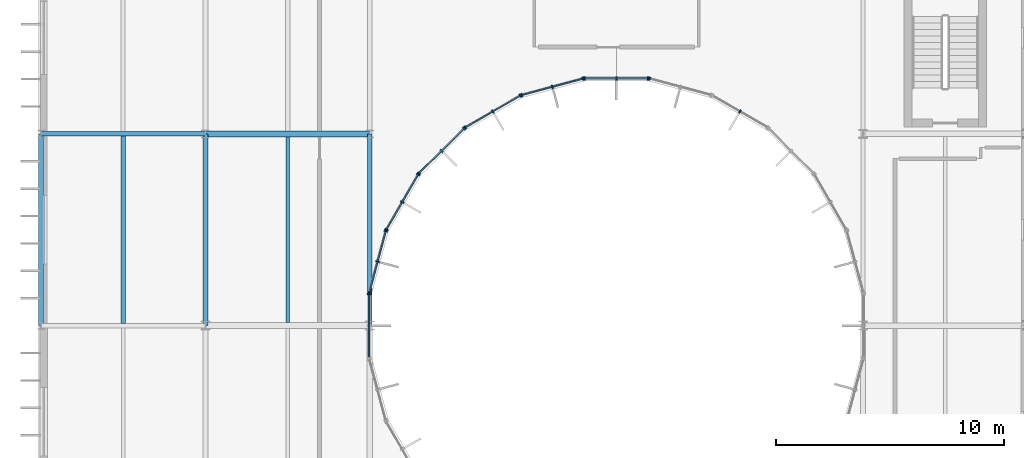
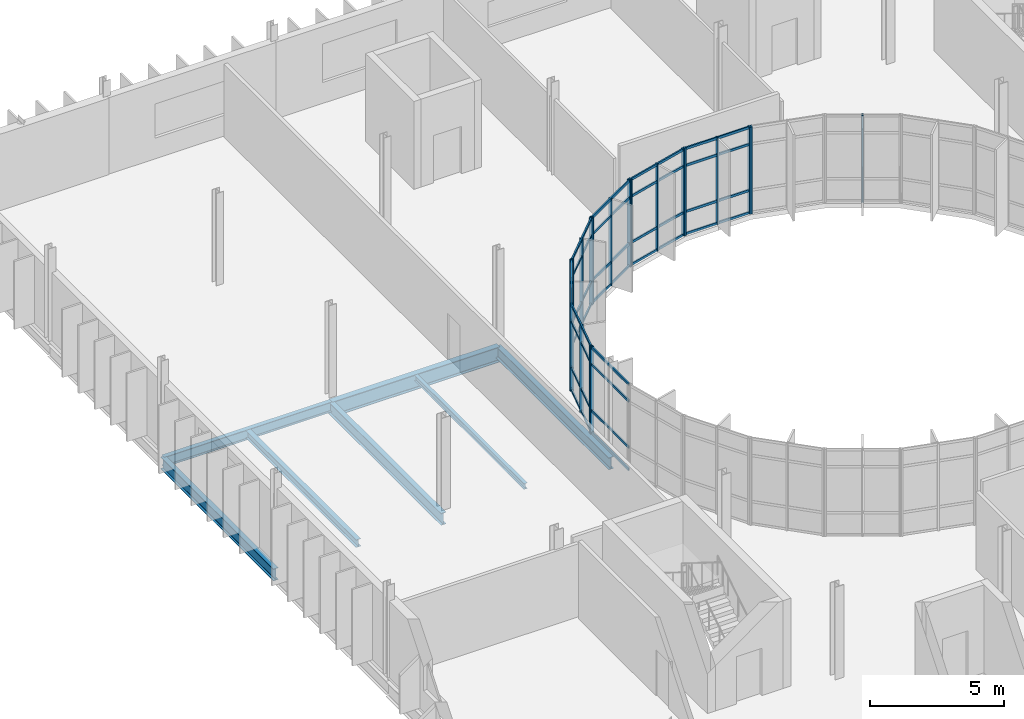
# One storey, part 39 of 99: 49 members, 7 beams, 9 elements without a shape of their own.
"""IFC4 building model written with IfcOpenShell, lengths in metres."""

from ifc_helpers import new_model, si_unit, direction, frame, origin, origin_2d, place, context, subcontext, project, spatial, rectangle, i_section, extrude, material, material_profile, profile_set, type_object, element, aggregate, save


model = new_model("IFC4")

# Units and contexts
model_context = context("Model", 3, precision=1e-05, world=origin(), true_north=direction((0.0, 1.0)))
body_context = subcontext(model_context, "Body", "Model", "MODEL_VIEW")
ifc_project = project(units=[si_unit("LENGTHUNIT", "METRE"), si_unit("AREAUNIT", "SQUARE_METRE"), si_unit("VOLUMEUNIT", "CUBIC_METRE"), si_unit("PLANEANGLEUNIT", "RADIAN"), si_unit("MASSUNIT", "GRAM", prefix="KILO")], contexts=[model_context])

# Site, building, storey
site_placement = place(None, origin())
site = spatial("IfcSite", under=ifc_project, at=site_placement, CompositionType="ELEMENT")
building_placement = place(site_placement, origin())
building = spatial("IfcBuilding", under=site, at=building_placement, Name="Qelthora Terrace Specialist Clinic", CompositionType="ELEMENT")
storey_placement = place(building_placement, frame((0.0, 0.0, 9.0)))
storey = spatial("IfcBuildingStorey", under=building, at=storey_placement, Name="L02", CompositionType="ELEMENT", Elevation=9.0)

# Beams
ifc_material_1 = material(Name="Steel S355", Category="steel")
ifc_material_profile_1 = material_profile(ifc_material_1, i_section(OverallWidth=0.2119140625, OverallDepth=0.5439453125, WebThickness=0.01318359375, FlangeThickness=0.021240234375, FilletRadius=0.013916015625, at=origin_2d()), Name="W530X123")
ifc_profile_set_1 = profile_set([ifc_material_profile_1], Name="Steel S355")
beam_type_1 = type_object("IfcBeamType", Name="BM-W530X123", PredefinedType="BEAM", material=ifc_profile_set_1)
for number, where, z_axis, x_axis, name in (
    (1, (0.0, 84.0, -0.52197265625), (0.0, 1.0, 0.0), (-1.0, 0.0, 0.0), "Girder BMY-L02-0745"),
    (2, (7.199951171875, 84.0, -0.52197265625), (0.0, 1.0, 0.0), (-1.0, 0.0, 0.0), "Girder BMY-L02-0755"),
    (3, (14.39990234375, 84.0, -0.52197265625), (0.0, 1.0, 0.0), (-1.0, 0.0, 0.0), "Girder BMY-L02-0765"),
):
    element("IfcBeam", number, at=place(storey_placement, frame(where, z_axis=z_axis, x_axis=x_axis)), inside=storey, type_object=beam_type_1, Name=name, PredefinedType="BEAM", context=body_context, shape_type="SweptSolid", body=[
        extrude(i_section(OverallWidth=0.2119140625, OverallDepth=0.5439453125, WebThickness=0.01318359375, FlangeThickness=0.021240234375, FilletRadius=0.013916015625, at=origin_2d()), origin(), (0.0, 0.0, 1.0), 8.39990234375),
    ])
ifc_material_profile_2 = material_profile(ifc_material_1, i_section(OverallWidth=0.256103515625, OverallDepth=0.693115234375, WebThickness=0.014404296875, FlangeThickness=0.023681640625, FilletRadius=0.01806640625, at=origin_2d()), Name="W690X170")
ifc_profile_set_2 = profile_set([ifc_material_profile_2], Name="Steel S355")
beam_type_2 = type_object("IfcBeamType", Name="BM-W690X170", PredefinedType="BEAM", material=ifc_profile_set_2)
beam_1_placement = place(storey_placement, frame((7.199951171875, 92.39990234375, -0.596435546875), z_axis=(1.0, 0.0, 0.0), x_axis=(0.0, 1.0, 0.0)))
element("IfcBeam", 4, at=beam_1_placement, inside=storey, type_object=beam_type_2, Name="Girder BMX-L02-0687", PredefinedType="BEAM", context=body_context, shape_type="SweptSolid", body=[
    extrude(i_section(OverallWidth=0.256103515625, OverallDepth=0.693115234375, WebThickness=0.014404296875, FlangeThickness=0.023681640625, FilletRadius=0.01806640625, at=origin_2d()), origin(), (0.0, 0.0, 1.0), 7.199951171875),
])

# Curtain wall, member
ifc_material_2 = material(Name="Aluminium anodized bronze", Category="aluminium")
curtain_wall_type = type_object("IfcCurtainWallType", Name="CW-CRTW-UPP", PredefinedType="NOTDEFINED", material=ifc_material_2)
curtain_wall_1_placement = place(storey_placement, origin())
curtain_wall_1 = element("IfcCurtainWall", 5, at=curtain_wall_1_placement, inside=storey, type_object=curtain_wall_type, Name="Curtain wall CW-CW-L02-04", PredefinedType="NOTDEFINED")
ifc_material_profile_3 = material_profile(ifc_material_2, rectangle(XDim=0.06005859375, YDim=0.14990234375, at=origin_2d()), Name="CWM60X150")
ifc_profile_set_3 = profile_set([ifc_material_profile_3], Name="Aluminium anodized bronze")
member_type_1 = type_object("IfcMemberType", Name="CWM-60X150", PredefinedType="MULLION", material=ifc_profile_set_3)
member_1_placement = place(storey_placement, frame((30.61376953125, 93.376953125, 0.0), z_axis=(0.0, 0.0, 1.0), x_axis=(-0.866025635896, 0.499999597971, 0.0)))
member_1 = element("IfcMember", 6, at=member_1_placement, type_object=member_type_1, Name="CW-CW-L02-04 mullion 2", PredefinedType="MULLION", context=body_context, shape_type="SweptSolid", body=[
    extrude(rectangle(XDim=0.06005859375, YDim=0.14990234375, at=origin_2d()), origin(), (0.0, 0.0, 1.0), 3.945068359375),
])
aggregate(curtain_wall_1, [member_1])

curtain_wall_2_placement = place(storey_placement, origin())
curtain_wall_2 = element("IfcCurtainWall", 7, at=curtain_wall_2_placement, inside=storey, type_object=curtain_wall_type, Name="Curtain wall CW-CW-L02-05", PredefinedType="NOTDEFINED")
member_2_placement = place(storey_placement, frame((26.66015625, 94.818359375, 0.0), z_axis=(0.0, 0.0, 1.0), x_axis=(-0.96592547477, 0.258820356987, 0.0)))
member_2 = element("IfcMember", 8, at=member_2_placement, type_object=member_type_1, Name="CW-CW-L02-05 mullion 3", PredefinedType="MULLION", context=body_context, shape_type="SweptSolid", body=[
    extrude(rectangle(XDim=0.06005859375, YDim=0.14990234375, at=origin_2d()), origin(), (0.0, 0.0, 1.0), 3.945068359375),
])
aggregate(curtain_wall_2, [member_2])

# Curtain wall, members
curtain_wall_3_placement = place(storey_placement, origin())
curtain_wall_3 = element("IfcCurtainWall", 9, at=curtain_wall_3_placement, inside=storey, type_object=curtain_wall_type, Name="Curtain wall CW-CW-L02-06", PredefinedType="NOTDEFINED")
member_3_placement = place(storey_placement, frame((26.589599609375, 94.82763671875, 0.0), z_axis=(0.0, 0.0, 1.0), x_axis=(-1.0, 0.0, 0.0)))
member_3 = element("IfcMember", 10, at=member_3_placement, type_object=member_type_1, Name="CW-CW-L02-06 mullion 1", PredefinedType="MULLION", context=body_context, shape_type="SweptSolid", body=[
    extrude(rectangle(XDim=0.06005859375, YDim=0.14990234375, at=origin_2d()), origin(), (0.0, 0.0, 1.0), 3.945068359375),
])
member_4_placement = place(storey_placement, frame((25.199951171875, 94.82763671875, 0.0), z_axis=(0.0, 0.0, 1.0), x_axis=(-1.0, 0.0, 0.0)))
member_4 = element("IfcMember", 11, at=member_4_placement, type_object=member_type_1, Name="CW-CW-L02-06 mullion 2", PredefinedType="MULLION", context=body_context, shape_type="SweptSolid", body=[
    extrude(rectangle(XDim=0.06005859375, YDim=0.14990234375, at=origin_2d()), origin(), (0.0, 0.0, 1.0), 3.945068359375),
])
member_5_placement = place(storey_placement, frame((23.810302734375, 94.82763671875, 0.0), z_axis=(0.0, 0.0, 1.0), x_axis=(-1.0, 0.0, 0.0)))
member_5 = element("IfcMember", 12, at=member_5_placement, type_object=member_type_1, Name="CW-CW-L02-06 mullion 3", PredefinedType="MULLION", context=body_context, shape_type="SweptSolid", body=[
    extrude(rectangle(XDim=0.06005859375, YDim=0.14990234375, at=origin_2d()), origin(), (0.0, 0.0, 1.0), 3.945068359375),
])

curtain_wall_4_placement = place(storey_placement, origin())
curtain_wall_4 = element("IfcCurtainWall", 13, at=curtain_wall_4_placement, inside=storey, type_object=curtain_wall_type, Name="Curtain wall CW-CW-L02-07", PredefinedType="NOTDEFINED")
member_6_placement = place(storey_placement, frame((23.739990234375, 94.818359375, 0.0), z_axis=(0.0, 0.0, 1.0), x_axis=(-0.96592547477, -0.258820356987, 0.0)))
member_6 = element("IfcMember", 14, at=member_6_placement, type_object=member_type_1, Name="CW-CW-L02-07 mullion 1", PredefinedType="MULLION", context=body_context, shape_type="SweptSolid", body=[
    extrude(rectangle(XDim=0.06005859375, YDim=0.14990234375, at=origin_2d()), origin(), (0.0, 0.0, 1.0), 3.945068359375),
])
member_7_placement = place(storey_placement, frame((22.397705078125, 94.458740234375, 0.0), z_axis=(0.0, 0.0, 1.0), x_axis=(-0.96592547477, -0.258820356987, 0.0)))
member_7 = element("IfcMember", 15, at=member_7_placement, type_object=member_type_1, Name="CW-CW-L02-07 mullion 2", PredefinedType="MULLION", context=body_context, shape_type="SweptSolid", body=[
    extrude(rectangle(XDim=0.06005859375, YDim=0.14990234375, at=origin_2d()), origin(), (0.0, 0.0, 1.0), 3.945068359375),
])
member_8_placement = place(storey_placement, frame((21.05517578125, 94.098876953125, 0.0), z_axis=(0.0, 0.0, 1.0), x_axis=(-0.96592547477, -0.258820356987, 0.0)))
member_8 = element("IfcMember", 16, at=member_8_placement, type_object=member_type_1, Name="CW-CW-L02-07 mullion 3", PredefinedType="MULLION", context=body_context, shape_type="SweptSolid", body=[
    extrude(rectangle(XDim=0.06005859375, YDim=0.14990234375, at=origin_2d()), origin(), (0.0, 0.0, 1.0), 3.945068359375),
])

curtain_wall_5_placement = place(storey_placement, origin())
curtain_wall_5 = element("IfcCurtainWall", 17, at=curtain_wall_5_placement, inside=storey, type_object=curtain_wall_type, Name="Curtain wall CW-CW-L02-08", PredefinedType="NOTDEFINED")
member_9_placement = place(storey_placement, frame((20.98974609375, 94.07177734375, 0.0), z_axis=(0.0, 0.0, 1.0), x_axis=(-0.866025635896, -0.499999597971, 0.0)))
member_9 = element("IfcMember", 18, at=member_9_placement, type_object=member_type_1, Name="CW-CW-L02-08 mullion 1", PredefinedType="MULLION", context=body_context, shape_type="SweptSolid", body=[
    extrude(rectangle(XDim=0.06005859375, YDim=0.14990234375, at=origin_2d()), origin(), (0.0, 0.0, 1.0), 3.945068359375),
])
member_10_placement = place(storey_placement, frame((19.7861328125, 93.376953125, 0.0), z_axis=(0.0, 0.0, 1.0), x_axis=(-0.866025635896, -0.499999597971, 0.0)))
member_10 = element("IfcMember", 19, at=member_10_placement, type_object=member_type_1, Name="CW-CW-L02-08 mullion 2", PredefinedType="MULLION", context=body_context, shape_type="SweptSolid", body=[
    extrude(rectangle(XDim=0.06005859375, YDim=0.14990234375, at=origin_2d()), origin(), (0.0, 0.0, 1.0), 3.945068359375),
])
member_11_placement = place(storey_placement, frame((18.582763671875, 92.68212890625, 0.0), z_axis=(0.0, 0.0, 1.0), x_axis=(-0.866025635896, -0.499999597971, 0.0)))
member_11 = element("IfcMember", 20, at=member_11_placement, type_object=member_type_1, Name="CW-CW-L02-08 mullion 3", PredefinedType="MULLION", context=body_context, shape_type="SweptSolid", body=[
    extrude(rectangle(XDim=0.06005859375, YDim=0.14990234375, at=origin_2d()), origin(), (0.0, 0.0, 1.0), 3.945068359375),
])

curtain_wall_6_placement = place(storey_placement, origin())
curtain_wall_6 = element("IfcCurtainWall", 21, at=curtain_wall_6_placement, inside=storey, type_object=curtain_wall_type, Name="Curtain wall CW-CW-L02-09", PredefinedType="NOTDEFINED")
member_12_placement = place(storey_placement, frame((18.5263671875, 92.638916015625, 0.0), z_axis=(0.0, 0.0, 1.0), x_axis=(-0.707106781187, -0.707106781187, 0.0)))
member_12 = element("IfcMember", 22, at=member_12_placement, type_object=member_type_1, Name="CW-CW-L02-09 mullion 1", PredefinedType="MULLION", context=body_context, shape_type="SweptSolid", body=[
    extrude(rectangle(XDim=0.06005859375, YDim=0.14990234375, at=origin_2d()), origin(), (0.0, 0.0, 1.0), 3.945068359375),
])
member_13_placement = place(storey_placement, frame((17.543701171875, 91.65625, 0.0), z_axis=(0.0, 0.0, 1.0), x_axis=(-0.707106781187, -0.707106781187, 0.0)))
member_13 = element("IfcMember", 23, at=member_13_placement, type_object=member_type_1, Name="CW-CW-L02-09 mullion 2", PredefinedType="MULLION", context=body_context, shape_type="SweptSolid", body=[
    extrude(rectangle(XDim=0.06005859375, YDim=0.14990234375, at=origin_2d()), origin(), (0.0, 0.0, 1.0), 3.945068359375),
])
member_14_placement = place(storey_placement, frame((16.56103515625, 90.673583984375, 0.0), z_axis=(0.0, 0.0, 1.0), x_axis=(-0.707106781187, -0.707106781187, 0.0)))
member_14 = element("IfcMember", 24, at=member_14_placement, type_object=member_type_1, Name="CW-CW-L02-09 mullion 3", PredefinedType="MULLION", context=body_context, shape_type="SweptSolid", body=[
    extrude(rectangle(XDim=0.06005859375, YDim=0.14990234375, at=origin_2d()), origin(), (0.0, 0.0, 1.0), 3.945068359375),
])

curtain_wall_7_placement = place(storey_placement, origin())
curtain_wall_7 = element("IfcCurtainWall", 25, at=curtain_wall_7_placement, inside=storey, type_object=curtain_wall_type, Name="Curtain wall CW-CW-L02-10", PredefinedType="NOTDEFINED")
member_15_placement = place(storey_placement, frame((16.517822265625, 90.6171875, 0.0), z_axis=(0.0, 0.0, 1.0), x_axis=(-0.499999597971, -0.866025635896, 0.0)))
member_15 = element("IfcMember", 26, at=member_15_placement, type_object=member_type_1, Name="CW-CW-L02-10 mullion 1", PredefinedType="MULLION", context=body_context, shape_type="SweptSolid", body=[
    extrude(rectangle(XDim=0.06005859375, YDim=0.14990234375, at=origin_2d()), origin(), (0.0, 0.0, 1.0), 3.945068359375),
])
member_16_placement = place(storey_placement, frame((15.822998046875, 89.413818359375, 0.0), z_axis=(0.0, 0.0, 1.0), x_axis=(-0.499999597971, -0.866025635896, 0.0)))
member_16 = element("IfcMember", 27, at=member_16_placement, type_object=member_type_1, Name="CW-CW-L02-10 mullion 2", PredefinedType="MULLION", context=body_context, shape_type="SweptSolid", body=[
    extrude(rectangle(XDim=0.06005859375, YDim=0.14990234375, at=origin_2d()), origin(), (0.0, 0.0, 1.0), 3.945068359375),
])
member_17_placement = place(storey_placement, frame((15.128173828125, 88.210205078125, 0.0), z_axis=(0.0, 0.0, 1.0), x_axis=(-0.499999597971, -0.866025635896, 0.0)))
member_17 = element("IfcMember", 28, at=member_17_placement, type_object=member_type_1, Name="CW-CW-L02-10 mullion 3", PredefinedType="MULLION", context=body_context, shape_type="SweptSolid", body=[
    extrude(rectangle(XDim=0.06005859375, YDim=0.14990234375, at=origin_2d()), origin(), (0.0, 0.0, 1.0), 3.945068359375),
])

curtain_wall_8_placement = place(storey_placement, origin())
curtain_wall_8 = element("IfcCurtainWall", 29, at=curtain_wall_8_placement, inside=storey, type_object=curtain_wall_type, Name="Curtain wall CW-CW-L02-11", PredefinedType="NOTDEFINED")
member_18_placement = place(storey_placement, frame((15.10107421875, 88.144775390625, 0.0), z_axis=(0.0, 0.0, 1.0), x_axis=(-0.258820356987, -0.96592547477, 0.0)))
member_18 = element("IfcMember", 30, at=member_18_placement, type_object=member_type_1, Name="CW-CW-L02-11 mullion 1", PredefinedType="MULLION", context=body_context, shape_type="SweptSolid", body=[
    extrude(rectangle(XDim=0.06005859375, YDim=0.14990234375, at=origin_2d()), origin(), (0.0, 0.0, 1.0), 3.945068359375),
])
member_19_placement = place(storey_placement, frame((14.7412109375, 86.802490234375, 0.0), z_axis=(0.0, 0.0, 1.0), x_axis=(-0.258820356987, -0.96592547477, 0.0)))
member_19 = element("IfcMember", 31, at=member_19_placement, type_object=member_type_1, Name="CW-CW-L02-11 mullion 2", PredefinedType="MULLION", context=body_context, shape_type="SweptSolid", body=[
    extrude(rectangle(XDim=0.06005859375, YDim=0.14990234375, at=origin_2d()), origin(), (0.0, 0.0, 1.0), 3.945068359375),
])
member_20_placement = place(storey_placement, frame((14.381591796875, 85.4599609375, 0.0), z_axis=(0.0, 0.0, 1.0), x_axis=(-0.258820356987, -0.96592547477, 0.0)))
member_20 = element("IfcMember", 32, at=member_20_placement, type_object=member_type_1, Name="CW-CW-L02-11 mullion 3", PredefinedType="MULLION", context=body_context, shape_type="SweptSolid", body=[
    extrude(rectangle(XDim=0.06005859375, YDim=0.14990234375, at=origin_2d()), origin(), (0.0, 0.0, 1.0), 3.945068359375),
])

# Curtain wall, member
curtain_wall_9_placement = place(storey_placement, origin())
curtain_wall_9 = element("IfcCurtainWall", 33, at=curtain_wall_9_placement, inside=storey, type_object=curtain_wall_type, Name="Curtain wall CW-CW-L02-12", PredefinedType="NOTDEFINED")
member_21_placement = place(storey_placement, frame((14.372314453125, 85.3896484375, 0.0), z_axis=(0.0, 0.0, 1.0), x_axis=(0.0, -1.0, 0.0)))
member_21 = element("IfcMember", 34, at=member_21_placement, type_object=member_type_1, Name="CW-CW-L02-12 mullion 1", PredefinedType="MULLION", context=body_context, shape_type="SweptSolid", body=[
    extrude(rectangle(XDim=0.06005859375, YDim=0.14990234375, at=origin_2d()), origin(), (0.0, 0.0, 1.0), 3.945068359375),
])

# Member
ifc_material_profile_4 = material_profile(ifc_material_2, rectangle(XDim=0.06005859375, YDim=0.110107421875, at=origin_2d()), Name="CWT60X110")
ifc_profile_set_4 = profile_set([ifc_material_profile_4], Name="Aluminium anodized bronze")
member_type_2 = type_object("IfcMemberType", Name="CWT-60X110", PredefinedType="USERDEFINED", material=ifc_profile_set_4)
member_22_placement = place(storey_placement, frame((26.569580078125, 94.82763671875, 0.0400390625), z_axis=(-1.0, 0.0, 0.0), x_axis=(0.0, -1.0, 0.0)))
member_22 = element("IfcMember", 35, at=member_22_placement, type_object=member_type_2, Name="CW-CW-L02-06 transom 1", ObjectType="TRANSOM", PredefinedType="USERDEFINED", context=body_context, shape_type="SweptSolid", body=[
    extrude(rectangle(XDim=0.06005859375, YDim=0.110107421875, at=origin_2d()), origin(), (0.0, 0.0, 1.0), 2.7392578125),
])

member_23_placement = place(storey_placement, frame((26.569580078125, 94.82763671875, 1.050048828125), z_axis=(-1.0, 0.0, 0.0), x_axis=(0.0, -1.0, 0.0)))
member_23 = element("IfcMember", 36, at=member_23_placement, type_object=member_type_2, Name="CW-CW-L02-06 transom 2", ObjectType="TRANSOM", PredefinedType="USERDEFINED", context=body_context, shape_type="SweptSolid", body=[
    extrude(rectangle(XDim=0.06005859375, YDim=0.110107421875, at=origin_2d()), origin(), (0.0, 0.0, 1.0), 2.7392578125),
])

member_24_placement = place(storey_placement, frame((26.569580078125, 94.82763671875, 3.14501953125), z_axis=(-1.0, 0.0, 0.0), x_axis=(0.0, -1.0, 0.0)))
member_24 = element("IfcMember", 37, at=member_24_placement, type_object=member_type_2, Name="CW-CW-L02-06 transom 3", ObjectType="TRANSOM", PredefinedType="USERDEFINED", context=body_context, shape_type="SweptSolid", body=[
    extrude(rectangle(XDim=0.06005859375, YDim=0.110107421875, at=origin_2d()), origin(), (0.0, 0.0, 1.0), 2.7392578125),
])

member_25_placement = place(storey_placement, frame((26.569580078125, 94.82763671875, 3.905029296875), z_axis=(-1.0, 0.0, 0.0), x_axis=(0.0, -1.0, 0.0)))
member_25 = element("IfcMember", 38, at=member_25_placement, type_object=member_type_2, Name="CW-CW-L02-06 transom 4", ObjectType="TRANSOM", PredefinedType="USERDEFINED", context=body_context, shape_type="SweptSolid", body=[
    extrude(rectangle(XDim=0.06005859375, YDim=0.110107421875, at=origin_2d()), origin(), (0.0, 0.0, 1.0), 2.7392578125),
])

aggregate(curtain_wall_3, [member_3, member_4, member_5, member_22, member_23, member_24, member_25])

member_26_placement = place(storey_placement, frame((23.720703125, 94.813232421875, 0.0400390625), z_axis=(-0.965926569303, -0.258816272122, 0.0), x_axis=(0.258816272122, -0.965926569303, 0.0)))
member_26 = element("IfcMember", 39, at=member_26_placement, type_object=member_type_2, Name="CW-CW-L02-07 transom 1", ObjectType="TRANSOM", PredefinedType="USERDEFINED", context=body_context, shape_type="SweptSolid", body=[
    extrude(rectangle(XDim=0.06005859375, YDim=0.110107421875, at=origin_2d()), origin(), (0.0, 0.0, 1.0), 2.7392578125),
])

member_27_placement = place(storey_placement, frame((23.720703125, 94.813232421875, 1.050048828125), z_axis=(-0.965926569303, -0.258816272122, 0.0), x_axis=(0.258816272122, -0.965926569303, 0.0)))
member_27 = element("IfcMember", 40, at=member_27_placement, type_object=member_type_2, Name="CW-CW-L02-07 transom 2", ObjectType="TRANSOM", PredefinedType="USERDEFINED", context=body_context, shape_type="SweptSolid", body=[
    extrude(rectangle(XDim=0.06005859375, YDim=0.110107421875, at=origin_2d()), origin(), (0.0, 0.0, 1.0), 2.7392578125),
])

member_28_placement = place(storey_placement, frame((23.720703125, 94.813232421875, 3.14501953125), z_axis=(-0.965926569303, -0.258816272122, 0.0), x_axis=(0.258816272122, -0.965926569303, 0.0)))
member_28 = element("IfcMember", 41, at=member_28_placement, type_object=member_type_2, Name="CW-CW-L02-07 transom 3", ObjectType="TRANSOM", PredefinedType="USERDEFINED", context=body_context, shape_type="SweptSolid", body=[
    extrude(rectangle(XDim=0.06005859375, YDim=0.110107421875, at=origin_2d()), origin(), (0.0, 0.0, 1.0), 2.7392578125),
])

member_29_placement = place(storey_placement, frame((23.720703125, 94.813232421875, 3.905029296875), z_axis=(-0.965926569303, -0.258816272122, 0.0), x_axis=(0.258816272122, -0.965926569303, 0.0)))
member_29 = element("IfcMember", 42, at=member_29_placement, type_object=member_type_2, Name="CW-CW-L02-07 transom 4", ObjectType="TRANSOM", PredefinedType="USERDEFINED", context=body_context, shape_type="SweptSolid", body=[
    extrude(rectangle(XDim=0.06005859375, YDim=0.110107421875, at=origin_2d()), origin(), (0.0, 0.0, 1.0), 2.7392578125),
])

aggregate(curtain_wall_4, [member_6, member_7, member_8, member_26, member_27, member_28, member_29])

member_30_placement = place(storey_placement, frame((20.972412109375, 94.061767578125, 0.0400390625), z_axis=(-0.866029747927, -0.499992475648, 0.0), x_axis=(0.499992475648, -0.866029747927, 0.0)))
member_30 = element("IfcMember", 43, at=member_30_placement, type_object=member_type_2, Name="CW-CW-L02-08 transom 1", ObjectType="TRANSOM", PredefinedType="USERDEFINED", context=body_context, shape_type="SweptSolid", body=[
    extrude(rectangle(XDim=0.06005859375, YDim=0.110107421875, at=origin_2d()), origin(), (0.0, 0.0, 1.0), 2.7392578125),
])

member_31_placement = place(storey_placement, frame((20.972412109375, 94.061767578125, 1.050048828125), z_axis=(-0.866029747927, -0.499992475648, 0.0), x_axis=(0.499992475648, -0.866029747927, 0.0)))
member_31 = element("IfcMember", 44, at=member_31_placement, type_object=member_type_2, Name="CW-CW-L02-08 transom 2", ObjectType="TRANSOM", PredefinedType="USERDEFINED", context=body_context, shape_type="SweptSolid", body=[
    extrude(rectangle(XDim=0.06005859375, YDim=0.110107421875, at=origin_2d()), origin(), (0.0, 0.0, 1.0), 2.7392578125),
])

member_32_placement = place(storey_placement, frame((20.972412109375, 94.061767578125, 3.14501953125), z_axis=(-0.866029747927, -0.499992475648, 0.0), x_axis=(0.499992475648, -0.866029747927, 0.0)))
member_32 = element("IfcMember", 45, at=member_32_placement, type_object=member_type_2, Name="CW-CW-L02-08 transom 3", ObjectType="TRANSOM", PredefinedType="USERDEFINED", context=body_context, shape_type="SweptSolid", body=[
    extrude(rectangle(XDim=0.06005859375, YDim=0.110107421875, at=origin_2d()), origin(), (0.0, 0.0, 1.0), 2.7392578125),
])

member_33_placement = place(storey_placement, frame((20.972412109375, 94.061767578125, 3.905029296875), z_axis=(-0.866029747927, -0.499992475648, 0.0), x_axis=(0.499992475648, -0.866029747927, 0.0)))
member_33 = element("IfcMember", 46, at=member_33_placement, type_object=member_type_2, Name="CW-CW-L02-08 transom 4", ObjectType="TRANSOM", PredefinedType="USERDEFINED", context=body_context, shape_type="SweptSolid", body=[
    extrude(rectangle(XDim=0.06005859375, YDim=0.110107421875, at=origin_2d()), origin(), (0.0, 0.0, 1.0), 2.7392578125),
])

aggregate(curtain_wall_5, [member_9, member_10, member_11, member_30, member_31, member_32, member_33])

member_34_placement = place(storey_placement, frame((18.51220703125, 92.624755859375, 0.0400390625), z_axis=(-0.707106781187, -0.707106781187, 0.0), x_axis=(0.707106781187, -0.707106781187, 0.0)))
member_34 = element("IfcMember", 47, at=member_34_placement, type_object=member_type_2, Name="CW-CW-L02-09 transom 1", ObjectType="TRANSOM", PredefinedType="USERDEFINED", context=body_context, shape_type="SweptSolid", body=[
    extrude(rectangle(XDim=0.06005859375, YDim=0.110107421875, at=origin_2d()), origin(), (0.0, 0.0, 1.0), 2.7392578125),
])

member_35_placement = place(storey_placement, frame((18.51220703125, 92.624755859375, 1.050048828125), z_axis=(-0.707106781187, -0.707106781187, 0.0), x_axis=(0.707106781187, -0.707106781187, 0.0)))
member_35 = element("IfcMember", 48, at=member_35_placement, type_object=member_type_2, Name="CW-CW-L02-09 transom 2", ObjectType="TRANSOM", PredefinedType="USERDEFINED", context=body_context, shape_type="SweptSolid", body=[
    extrude(rectangle(XDim=0.06005859375, YDim=0.110107421875, at=origin_2d()), origin(), (0.0, 0.0, 1.0), 2.7392578125),
])

member_36_placement = place(storey_placement, frame((18.51220703125, 92.624755859375, 3.14501953125), z_axis=(-0.707106781187, -0.707106781187, 0.0), x_axis=(0.707106781187, -0.707106781187, 0.0)))
member_36 = element("IfcMember", 49, at=member_36_placement, type_object=member_type_2, Name="CW-CW-L02-09 transom 3", ObjectType="TRANSOM", PredefinedType="USERDEFINED", context=body_context, shape_type="SweptSolid", body=[
    extrude(rectangle(XDim=0.06005859375, YDim=0.110107421875, at=origin_2d()), origin(), (0.0, 0.0, 1.0), 2.7392578125),
])

member_37_placement = place(storey_placement, frame((18.51220703125, 92.624755859375, 3.905029296875), z_axis=(-0.707106781187, -0.707106781187, 0.0), x_axis=(0.707106781187, -0.707106781187, 0.0)))
member_37 = element("IfcMember", 50, at=member_37_placement, type_object=member_type_2, Name="CW-CW-L02-09 transom 4", ObjectType="TRANSOM", PredefinedType="USERDEFINED", context=body_context, shape_type="SweptSolid", body=[
    extrude(rectangle(XDim=0.06005859375, YDim=0.110107421875, at=origin_2d()), origin(), (0.0, 0.0, 1.0), 2.7392578125),
])

aggregate(curtain_wall_6, [member_12, member_13, member_14, member_34, member_35, member_36, member_37])

member_38_placement = place(storey_placement, frame((16.5078125, 90.60009765625, 0.0400390625), z_axis=(-0.499953886166, -0.866052025982, 0.0), x_axis=(0.866052025982, -0.499953886166, 0.0)))
member_38 = element("IfcMember", 51, at=member_38_placement, type_object=member_type_2, Name="CW-CW-L02-10 transom 1", ObjectType="TRANSOM", PredefinedType="USERDEFINED", context=body_context, shape_type="SweptSolid", body=[
    extrude(rectangle(XDim=0.06005859375, YDim=0.110107421875, at=origin_2d()), origin(), (0.0, 0.0, 1.0), 2.739501953125),
])

member_39_placement = place(storey_placement, frame((16.5078125, 90.60009765625, 1.050048828125), z_axis=(-0.499953886166, -0.866052025982, 0.0), x_axis=(0.866052025982, -0.499953886166, 0.0)))
member_39 = element("IfcMember", 52, at=member_39_placement, type_object=member_type_2, Name="CW-CW-L02-10 transom 2", ObjectType="TRANSOM", PredefinedType="USERDEFINED", context=body_context, shape_type="SweptSolid", body=[
    extrude(rectangle(XDim=0.06005859375, YDim=0.110107421875, at=origin_2d()), origin(), (0.0, 0.0, 1.0), 2.739501953125),
])

member_40_placement = place(storey_placement, frame((16.5078125, 90.60009765625, 3.14501953125), z_axis=(-0.499953886166, -0.866052025982, 0.0), x_axis=(0.866052025982, -0.499953886166, 0.0)))
member_40 = element("IfcMember", 53, at=member_40_placement, type_object=member_type_2, Name="CW-CW-L02-10 transom 3", ObjectType="TRANSOM", PredefinedType="USERDEFINED", context=body_context, shape_type="SweptSolid", body=[
    extrude(rectangle(XDim=0.06005859375, YDim=0.110107421875, at=origin_2d()), origin(), (0.0, 0.0, 1.0), 2.739501953125),
])

member_41_placement = place(storey_placement, frame((16.5078125, 90.60009765625, 3.905029296875), z_axis=(-0.499953886166, -0.866052025982, 0.0), x_axis=(0.866052025982, -0.499953886166, 0.0)))
member_41 = element("IfcMember", 54, at=member_41_placement, type_object=member_type_2, Name="CW-CW-L02-10 transom 4", ObjectType="TRANSOM", PredefinedType="USERDEFINED", context=body_context, shape_type="SweptSolid", body=[
    extrude(rectangle(XDim=0.06005859375, YDim=0.110107421875, at=origin_2d()), origin(), (0.0, 0.0, 1.0), 2.739501953125),
])

aggregate(curtain_wall_7, [member_15, member_16, member_17, member_38, member_39, member_40, member_41])

member_42_placement = place(storey_placement, frame((15.095947265625, 88.12548828125, 0.0400390625), z_axis=(-0.258899423253, -0.965904285444, 0.0), x_axis=(0.965904285444, -0.258899423253, 0.0)))
member_42 = element("IfcMember", 55, at=member_42_placement, type_object=member_type_2, Name="CW-CW-L02-11 transom 1", ObjectType="TRANSOM", PredefinedType="USERDEFINED", context=body_context, shape_type="SweptSolid", body=[
    extrude(rectangle(XDim=0.06005859375, YDim=0.110107421875, at=origin_2d()), origin(), (0.0, 0.0, 1.0), 2.739501953125),
])

member_43_placement = place(storey_placement, frame((15.095947265625, 88.12548828125, 1.050048828125), z_axis=(-0.258899423253, -0.965904285444, 0.0), x_axis=(0.965904285444, -0.258899423253, 0.0)))
member_43 = element("IfcMember", 56, at=member_43_placement, type_object=member_type_2, Name="CW-CW-L02-11 transom 2", ObjectType="TRANSOM", PredefinedType="USERDEFINED", context=body_context, shape_type="SweptSolid", body=[
    extrude(rectangle(XDim=0.06005859375, YDim=0.110107421875, at=origin_2d()), origin(), (0.0, 0.0, 1.0), 2.739501953125),
])

member_44_placement = place(storey_placement, frame((15.095947265625, 88.12548828125, 3.14501953125), z_axis=(-0.258899423253, -0.965904285444, 0.0), x_axis=(0.965904285444, -0.258899423253, 0.0)))
member_44 = element("IfcMember", 57, at=member_44_placement, type_object=member_type_2, Name="CW-CW-L02-11 transom 3", ObjectType="TRANSOM", PredefinedType="USERDEFINED", context=body_context, shape_type="SweptSolid", body=[
    extrude(rectangle(XDim=0.06005859375, YDim=0.110107421875, at=origin_2d()), origin(), (0.0, 0.0, 1.0), 2.739501953125),
])

member_45_placement = place(storey_placement, frame((15.095947265625, 88.12548828125, 3.905029296875), z_axis=(-0.258899423253, -0.965904285444, 0.0), x_axis=(0.965904285444, -0.258899423253, 0.0)))
member_45 = element("IfcMember", 58, at=member_45_placement, type_object=member_type_2, Name="CW-CW-L02-11 transom 4", ObjectType="TRANSOM", PredefinedType="USERDEFINED", context=body_context, shape_type="SweptSolid", body=[
    extrude(rectangle(XDim=0.06005859375, YDim=0.110107421875, at=origin_2d()), origin(), (0.0, 0.0, 1.0), 2.739501953125),
])

aggregate(curtain_wall_8, [member_18, member_19, member_20, member_42, member_43, member_44, member_45])

member_46_placement = place(storey_placement, frame((14.372314453125, 85.36962890625, 0.0400390625), z_axis=(0.0, -1.0, 0.0), x_axis=(1.0, 0.0, 0.0)))
member_46 = element("IfcMember", 59, at=member_46_placement, type_object=member_type_2, Name="CW-CW-L02-12 transom 1", ObjectType="TRANSOM", PredefinedType="USERDEFINED", context=body_context, shape_type="SweptSolid", body=[
    extrude(rectangle(XDim=0.06005859375, YDim=0.110107421875, at=origin_2d()), origin(), (0.0, 0.0, 1.0), 2.7392578125),
])

member_47_placement = place(storey_placement, frame((14.372314453125, 85.36962890625, 1.050048828125), z_axis=(0.0, -1.0, 0.0), x_axis=(1.0, 0.0, 0.0)))
member_47 = element("IfcMember", 60, at=member_47_placement, type_object=member_type_2, Name="CW-CW-L02-12 transom 2", ObjectType="TRANSOM", PredefinedType="USERDEFINED", context=body_context, shape_type="SweptSolid", body=[
    extrude(rectangle(XDim=0.06005859375, YDim=0.110107421875, at=origin_2d()), origin(), (0.0, 0.0, 1.0), 2.7392578125),
])

member_48_placement = place(storey_placement, frame((14.372314453125, 85.36962890625, 3.14501953125), z_axis=(0.0, -1.0, 0.0), x_axis=(1.0, 0.0, 0.0)))
member_48 = element("IfcMember", 61, at=member_48_placement, type_object=member_type_2, Name="CW-CW-L02-12 transom 3", ObjectType="TRANSOM", PredefinedType="USERDEFINED", context=body_context, shape_type="SweptSolid", body=[
    extrude(rectangle(XDim=0.06005859375, YDim=0.110107421875, at=origin_2d()), origin(), (0.0, 0.0, 1.0), 2.7392578125),
])

member_49_placement = place(storey_placement, frame((14.372314453125, 85.36962890625, 3.905029296875), z_axis=(0.0, -1.0, 0.0), x_axis=(1.0, 0.0, 0.0)))
member_49 = element("IfcMember", 62, at=member_49_placement, type_object=member_type_2, Name="CW-CW-L02-12 transom 4", ObjectType="TRANSOM", PredefinedType="USERDEFINED", context=body_context, shape_type="SweptSolid", body=[
    extrude(rectangle(XDim=0.06005859375, YDim=0.110107421875, at=origin_2d()), origin(), (0.0, 0.0, 1.0), 2.7392578125),
])

aggregate(curtain_wall_9, [member_21, member_46, member_47, member_48, member_49])

# Beams
ifc_material_profile_5 = material_profile(ifc_material_1, i_section(OverallWidth=0.14599609375, OverallDepth=0.258056640625, WebThickness=0.006103515625, FlangeThickness=0.009033203125, FilletRadius=0.009033203125, at=origin_2d()), Name="W250X33")
ifc_profile_set_5 = profile_set([ifc_material_profile_5], Name="Steel S355")
beam_type_3 = type_object("IfcBeamType", Name="JST-W250X33", PredefinedType="JOIST", material=ifc_profile_set_5)
beam_2_placement = place(storey_placement, frame((10.800048828125, 84.126953125, -0.37890625), z_axis=(0.0, 1.0, 0.0), x_axis=(-1.0, 0.0, 0.0)))
element("IfcBeam", 63, at=beam_2_placement, inside=storey, type_object=beam_type_3, Name="Composite floor joist JST-L02-0156", PredefinedType="JOIST", context=body_context, shape_type="SweptSolid", body=[
    extrude(i_section(OverallWidth=0.14599609375, OverallDepth=0.258056640625, WebThickness=0.006103515625, FlangeThickness=0.009033203125, FilletRadius=0.009033203125, at=origin_2d()), origin(), (0.0, 0.0, 1.0), 8.14501953125),
])
ifc_material_profile_6 = material_profile(ifc_material_1, i_section(OverallWidth=0.202880859375, OverallDepth=0.346923828125, WebThickness=0.0078125, FlangeThickness=0.013427734375, FilletRadius=0.010986328125, at=origin_2d()), Name="W360X64")
ifc_profile_set_6 = profile_set([ifc_material_profile_6], Name="Steel S355")
beam_type_4 = type_object("IfcBeamType", Name="JST-W360X64", PredefinedType="JOIST", material=ifc_profile_set_6)
beam_3_placement = place(storey_placement, frame((3.60009765625, 84.095458984375, -0.423583984375), z_axis=(0.0, 1.0, 0.0), x_axis=(-1.0, 0.0, 0.0)))
element("IfcBeam", 64, at=beam_3_placement, inside=storey, type_object=beam_type_4, Name="Composite floor joist JST-L02-0151", PredefinedType="JOIST", context=body_context, shape_type="SweptSolid", body=[
    extrude(i_section(OverallWidth=0.202880859375, OverallDepth=0.346923828125, WebThickness=0.0078125, FlangeThickness=0.013427734375, FilletRadius=0.010986328125, at=origin_2d()), origin(), (0.0, 0.0, 1.0), 8.208984375),
])
ifc_material_profile_7 = material_profile(ifc_material_1, i_section(OverallWidth=0.19091796875, OverallDepth=0.4599609375, WebThickness=0.010009765625, FlangeThickness=0.01611328125, FilletRadius=0.012939453125, at=origin_2d()), Name="W460X82")
ifc_profile_set_7 = profile_set([ifc_material_profile_7], Name="Steel S355")
beam_type_5 = type_object("IfcBeamType", Name="SPD-W460X82", PredefinedType="SPANDREL", material=ifc_profile_set_7)
beam_4_placement = place(storey_placement, frame((0.0, 92.39990234375, -0.47998046875), z_axis=(1.0, 0.0, 0.0), x_axis=(0.0, 1.0, 0.0)))
element("IfcBeam", 65, at=beam_4_placement, inside=storey, type_object=beam_type_5, Name="Girder BMX-L02-0686", PredefinedType="SPANDREL", context=body_context, shape_type="SweptSolid", body=[
    extrude(i_section(OverallWidth=0.19091796875, OverallDepth=0.4599609375, WebThickness=0.010009765625, FlangeThickness=0.01611328125, FilletRadius=0.012939453125, at=origin_2d()), origin(), (0.0, 0.0, 1.0), 7.199951171875),
])

save(model, "model.ifc")
